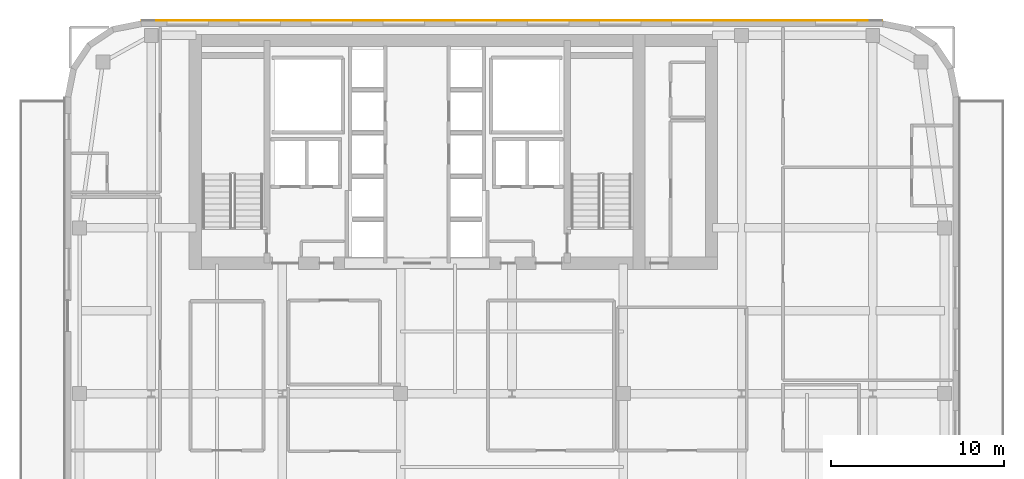
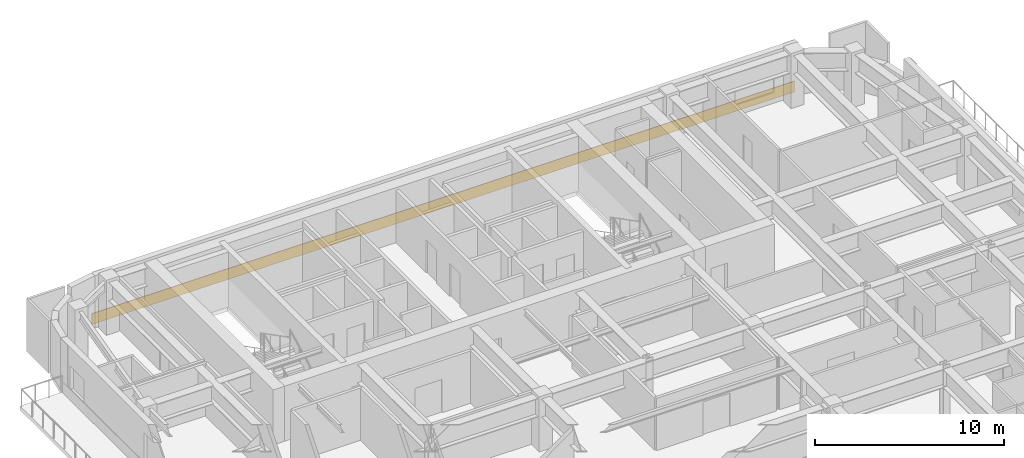
# One storey, part 19 of 20: 1 covering.
"""IFC4 building model written with IfcOpenShell, lengths in metres."""

from ifc_helpers import new_model, si_unit, direction, frame, origin, place, context, subcontext, project, spatial, polyline, outline, extrude, material, layer, layer_set, type_object, element, save


model = new_model("IFC4")

# Units and contexts
model_context = context("Model", 3, precision=1e-05, world=origin(), true_north=direction((0.0, 1.0)))
body_context = subcontext(model_context, "Body", "Model", "MODEL_VIEW")
ifc_project = project(units=[si_unit("LENGTHUNIT", "METRE"), si_unit("AREAUNIT", "SQUARE_METRE"), si_unit("VOLUMEUNIT", "CUBIC_METRE"), si_unit("PLANEANGLEUNIT", "RADIAN"), si_unit("MASSUNIT", "GRAM", prefix="KILO")], contexts=[model_context])

# Site, building, storey
site_placement = place(None, origin())
site = spatial("IfcSite", under=ifc_project, at=site_placement, CompositionType="ELEMENT")
building_placement = place(site_placement, origin())
building = spatial("IfcBuilding", under=site, at=building_placement, Name="Tolvann Quenvar Hotel", CompositionType="ELEMENT")
storey_placement = place(building_placement, frame((0.0, 0.0, 147.050048828125)))
storey = spatial("IfcBuildingStorey", under=building, at=storey_placement, Name="L38", CompositionType="ELEMENT", Elevation=147.050048828125)

# Covering
ifc_material = material(Name="Moulded buff architectural terracotta spandrel cladding", Category="masonry")
ifc_layer = layer(ifc_material, 0.0400390625)
ifc_layer_set = layer_set([ifc_layer], Name="Moulded buff architectural terracotta spandrel cladding")
covering_type = type_object("IfcCoveringType", Name="COV_CLAD_TERRA_40", PredefinedType="CLADDING", material=ifc_layer_set)
covering_placement = place(storey_placement, origin())
element("IfcCovering", 1, at=covering_placement, inside=storey, type_object=covering_type, Name="Terracotta Spandrel Cladding (L38-E18)", PredefinedType="CLADDING", context=body_context, shape_type="SweptSolid", body=[
    extrude(outline(polyline([(49.94287109375, 46.0), (7.05712890625, 46.0), (7.05712890625, 46.0400390625), (49.94287109375, 46.0400390625), (49.94287109375, 46.0)])), origin(), (0.0, 0.0, 1.0), 0.699951171875),
])

save(model, "model.ifc")
